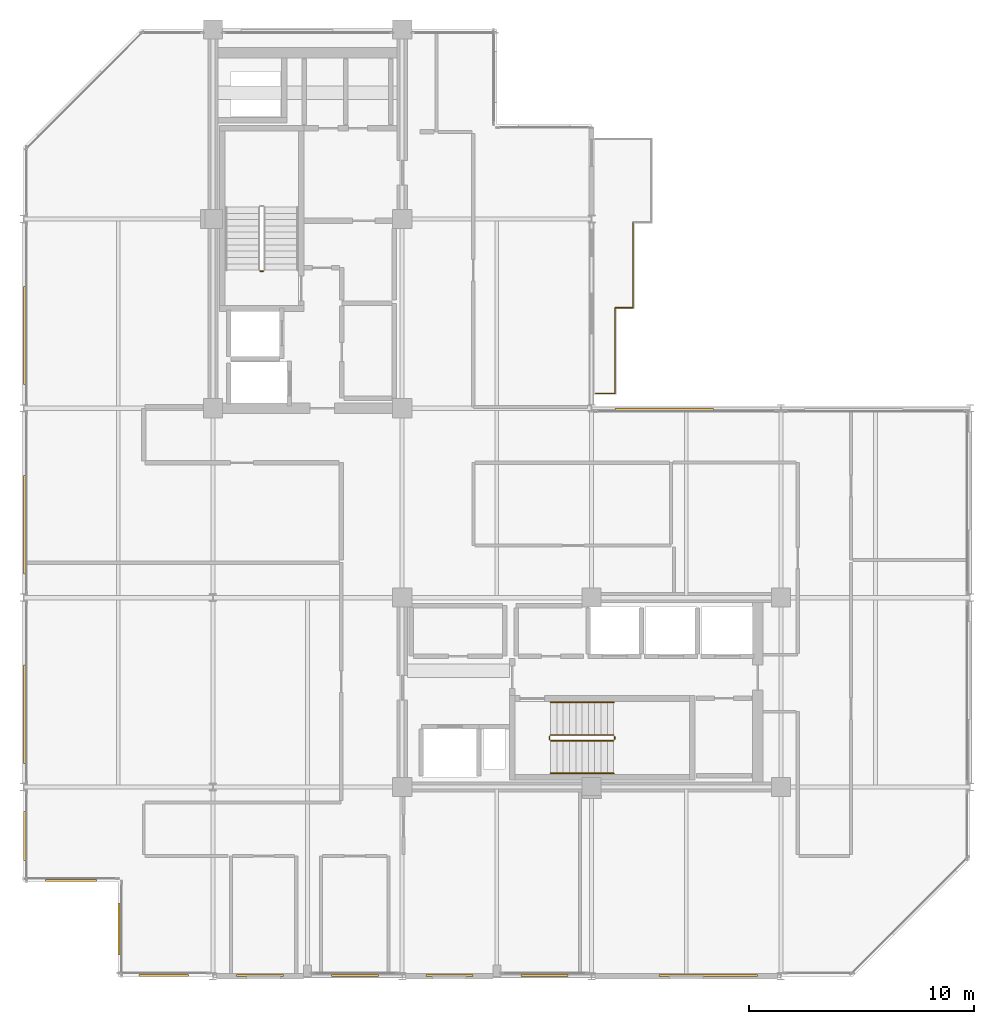
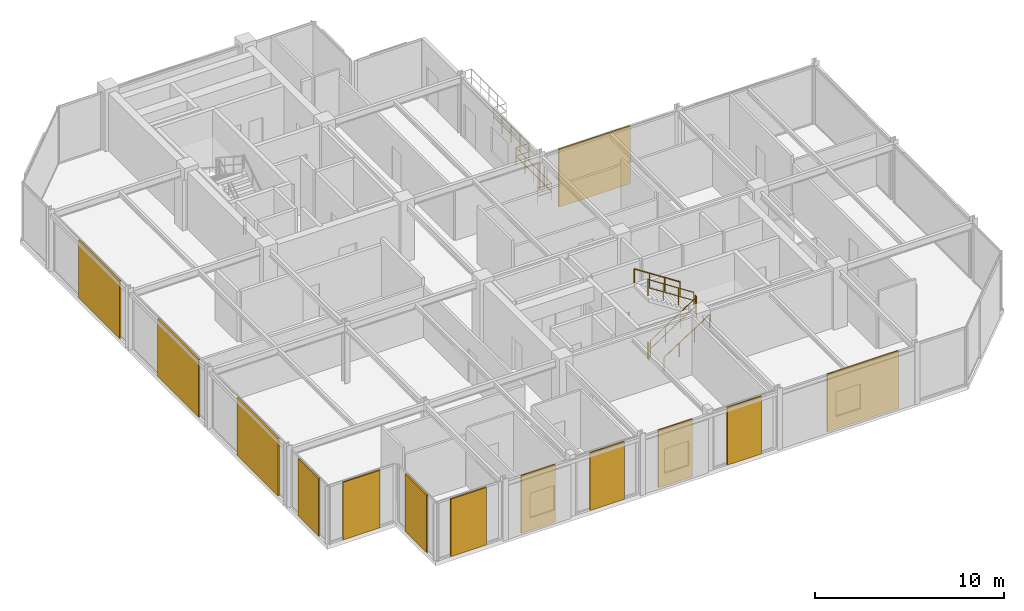
# One storey, part 24 of 26: 13 coverings, 11 railings.
"""IFC4 building model written with IfcOpenShell, lengths in metres."""

from ifc_helpers import new_model, si_unit, direction, frame, origin, origin_2d, place, context, subcontext, project, spatial, rectangle, circle, extrude, material, layer, layer_set, type_object, element, save


model = new_model("IFC4")

# Units and contexts
model_context = context("Model", 3, precision=1e-05, world=origin(), true_north=direction((0.0, 1.0)))
body_context = subcontext(model_context, "Body", "Model", "MODEL_VIEW")
ifc_project = project(units=[si_unit("LENGTHUNIT", "METRE"), si_unit("AREAUNIT", "SQUARE_METRE"), si_unit("VOLUMEUNIT", "CUBIC_METRE"), si_unit("PLANEANGLEUNIT", "RADIAN"), si_unit("MASSUNIT", "GRAM", prefix="KILO")], contexts=[model_context])

# Site, building, storey
site_placement = place(None, origin())
site = spatial("IfcSite", under=ifc_project, at=site_placement, CompositionType="ELEMENT")
building_placement = place(site_placement, origin())
building = spatial("IfcBuilding", under=site, at=building_placement, Name="Nerrivon Quay Data Exchange", CompositionType="ELEMENT")
storey_placement = place(building_placement, frame((0.0, 0.0, 258.199951171875)))
storey = spatial("IfcBuildingStorey", under=building, at=storey_placement, Name="L61", CompositionType="ELEMENT", Elevation=258.199951171875)

# Coverings
ifc_material_1 = material(Name="Architectural terracotta ceramic", Category="masonry")
ifc_layer = layer(ifc_material_1, 0.090087890625)
ifc_layer_set = layer_set([ifc_layer], Name="Architectural terracotta ceramic")
covering_type = type_object("IfcCoveringType", Name="COV-SCR-TERR", PredefinedType="CLADDING", material=ifc_layer_set)
covering_1_placement = place(storey_placement, frame((30.37060546875, 0.044921875, 0.0), z_axis=(0.0, 0.0, 1.0), x_axis=(-1.0, 0.0, 0.0)))
element("IfcCovering", 1, at=covering_1_placement, inside=storey, type_object=covering_type, Name="L61 Perforated Terracotta SOLAR SCREEN Cassette", PredefinedType="CLADDING", context=body_context, shape_type="SweptSolid", body=[
    extrude(rectangle(XDim=4.367919921875, YDim=0.090087890625, at=origin_2d()), origin(), (0.0, 0.0, 1.0), 3.72509765625),
])
for number, where, z_axis, x_axis, name in (
    (2, (23.109619140625, 0.044921875, 0.0), (0.0, 0.0, 1.0), (-1.0, 0.0, 0.0), "L61 Perforated Terracotta SOLAR SCREEN Cassette"),
    (3, (18.890380859375, 0.044921875, 0.0), (0.0, 0.0, 1.0), (-1.0, 0.0, 0.0), "L61 Perforated Terracotta SOLAR SCREEN Cassette"),
    (4, (14.709716796875, 0.044921875, 0.0), (0.0, 0.0, 1.0), (-1.0, 0.0, 0.0), "L61 Perforated Terracotta SOLAR SCREEN Cassette"),
    (5, (10.490234375, 0.044921875, 0.0), (0.0, 0.0, 1.0), (-1.0, 0.0, 0.0), "L61 Perforated Terracotta SOLAR SCREEN Cassette"),
):
    element("IfcCovering", number, at=place(storey_placement, frame(where, z_axis=z_axis, x_axis=x_axis)), inside=storey, type_object=covering_type, Name=name, PredefinedType="CLADDING", context=body_context, shape_type="SweptSolid", body=[
        extrude(rectangle(XDim=2.090087890625, YDim=0.090087890625, at=origin_2d()), origin(), (0.0, 0.0, 1.0), 3.72509765625),
    ])
covering_2_placement = place(storey_placement, frame((6.222412109375, 0.044921875, 0.0), z_axis=(0.0, 0.0, 1.0), x_axis=(-1.0, 0.0, 0.0)))
element("IfcCovering", 6, at=covering_2_placement, inside=storey, type_object=covering_type, Name="L61 Perforated Terracotta SOLAR SCREEN Cassette", PredefinedType="CLADDING", context=body_context, shape_type="SweptSolid", body=[
    extrude(rectangle(XDim=2.18408203125, YDim=0.090087890625, at=origin_2d()), origin(), (0.0, 0.0, 1.0), 3.72509765625),
])
for number, where, z_axis, x_axis, name in (
    (7, (4.2451171875, 2.10009765625, 0.0), (0.0, 0.0, 1.0), (0.0, 1.0, 0.0), "L61 Perforated Terracotta SOLAR SCREEN Cassette"),
    (8, (2.10009765625, 4.2451171875, 0.0), (0.0, 0.0, 1.0), (-1.0, 0.0, 0.0), "L61 Perforated Terracotta SOLAR SCREEN Cassette"),
):
    element("IfcCovering", number, at=place(storey_placement, frame(where, z_axis=z_axis, x_axis=x_axis)), inside=storey, type_object=covering_type, Name=name, PredefinedType="CLADDING", context=body_context, shape_type="SweptSolid", body=[
        extrude(rectangle(XDim=2.26806640625, YDim=0.090087890625, at=origin_2d()), origin(), (0.0, 0.0, 1.0), 3.72509765625),
    ])
covering_3_placement = place(storey_placement, frame((0.044921875, 6.21826171875, 0.0), z_axis=(0.0, 0.0, 1.0), x_axis=(0.0, 1.0, 0.0)))
element("IfcCovering", 9, at=covering_3_placement, inside=storey, type_object=covering_type, Name="L61 Perforated Terracotta SOLAR SCREEN Cassette", PredefinedType="CLADDING", context=body_context, shape_type="SweptSolid", body=[
    extrude(rectangle(XDim=2.179931640625, YDim=0.090087890625, at=origin_2d()), origin(), (0.0, 0.0, 1.0), 3.72509765625),
])
for number, where, z_axis, x_axis, name in (
    (10, (0.044921875, 11.631103515625, 0.0), (0.0, 0.0, 1.0), (0.0, 1.0, 0.0), "L61 Perforated Terracotta SOLAR SCREEN Cassette"),
    (11, (0.044921875, 20.03125, 0.0), (0.0, 0.0, 1.0), (0.0, 1.0, 0.0), "L61 Perforated Terracotta SOLAR SCREEN Cassette"),
    (12, (0.044921875, 28.43115234375, 0.0), (0.0, 0.0, 1.0), (0.0, 1.0, 0.0), "L61 Perforated Terracotta SOLAR SCREEN Cassette"),
):
    element("IfcCovering", number, at=place(storey_placement, frame(where, z_axis=z_axis, x_axis=x_axis)), inside=storey, type_object=covering_type, Name=name, PredefinedType="CLADDING", context=body_context, shape_type="SweptSolid", body=[
        extrude(rectangle(XDim=4.35888671875, YDim=0.090087890625, at=origin_2d()), origin(), (0.0, 0.0, 1.0), 3.72509765625),
    ])
covering_4_placement = place(storey_placement, frame((28.42919921875, 25.155029296875, 0.0), z_axis=(0.0, 0.0, 1.0), x_axis=(1.0, 0.0, 0.0)))
element("IfcCovering", 13, at=covering_4_placement, inside=storey, type_object=covering_type, Name="L61 Perforated Terracotta SOLAR SCREEN Cassette", PredefinedType="CLADDING", context=body_context, shape_type="SweptSolid", body=[
    extrude(rectangle(XDim=4.367919921875, YDim=0.090087890625, at=origin_2d()), origin(), (0.0, 0.0, 1.0), 3.72509765625),
])

# Railings
ifc_material_2 = material(Name="Steel Grade C350L0 (350 MPa)", Category="steel")
railing_type_1 = type_object("IfcRailingType", Name="RAIL-GUARD-GR2", PredefinedType="BALUSTRADE", material=ifc_material_2)
railing_1_placement = place(storey_placement, frame((26.239990234375, 29.659912109375, 0.0)))
element("IfcRailing", 14, at=railing_1_placement, inside=storey, type_object=railing_type_1, Name="L61 Verandah Balcony Guard 1.1 1", PredefinedType="BALUSTRADE", context=body_context, shape_type="SweptSolid", body=[
    extrude(circle(Radius=0.02392578125, at=origin_2d()), frame((0.0, 0.0, 1.09619140625), z_axis=(0.0, -1.0, 0.0), x_axis=(1.0, 0.0, 0.0)), (0.0, 0.0, 1.0), 3.7998046875),
    extrude(circle(Radius=0.02392578125, at=origin_2d()), frame((0.0, 0.0, 0.56005859375), z_axis=(0.0, -1.0, 0.0), x_axis=(1.0, 0.0, 0.0)), (0.0, 0.0, 1.0), 3.7998046875),
    extrude(circle(Radius=0.02099609375, at=origin_2d()), origin(), (0.0, 0.0, 1.0), 1.072021484375),
    extrude(circle(Radius=0.02099609375, at=origin_2d()), frame((0.0, -0.949951171875, 0.0)), (0.0, 0.0, 1.0), 1.072021484375),
    extrude(circle(Radius=0.02099609375, at=origin_2d()), frame((0.0, -1.89990234375, 0.0)), (0.0, 0.0, 1.0), 1.072021484375),
    extrude(circle(Radius=0.02099609375, at=origin_2d()), frame((0.0, -2.849853515625, 0.0)), (0.0, 0.0, 1.0), 1.072021484375),
    extrude(circle(Radius=0.02099609375, at=origin_2d()), frame((0.0, -3.7998046875, 0.0)), (0.0, 0.0, 1.0), 1.072021484375),
])
railing_2_placement = place(storey_placement, frame((26.239990234375, 25.860107421875, 0.0)))
element("IfcRailing", 15, at=railing_2_placement, inside=storey, type_object=railing_type_1, Name="L61 Verandah Balcony Guard 1.2 1", PredefinedType="BALUSTRADE", context=body_context, shape_type="SweptSolid", body=[
    extrude(circle(Radius=0.02392578125, at=origin_2d()), frame((0.0, 0.0, 1.09619140625), z_axis=(-1.0, 0.0, 0.0), x_axis=(0.0, -1.0, 0.0)), (0.0, 0.0, 1.0), 0.860107421875),
    extrude(circle(Radius=0.02392578125, at=origin_2d()), frame((0.0, 0.0, 0.56005859375), z_axis=(-1.0, 0.0, 0.0), x_axis=(0.0, -1.0, 0.0)), (0.0, 0.0, 1.0), 0.860107421875),
    extrude(circle(Radius=0.02099609375, at=origin_2d()), origin(), (0.0, 0.0, 1.0), 1.072021484375),
    extrude(circle(Radius=0.02099609375, at=origin_2d()), frame((-0.860107421875, 0.0, 0.0)), (0.0, 0.0, 1.0), 1.072021484375),
])
railing_3_placement = place(storey_placement, frame((27.0400390625, 33.4599609375, 0.0)))
element("IfcRailing", 16, at=railing_3_placement, inside=storey, type_object=railing_type_1, Name="L61 Verandah Balcony Guard 1.6 1", PredefinedType="BALUSTRADE", context=body_context, shape_type="SweptSolid", body=[
    extrude(circle(Radius=0.02392578125, at=origin_2d()), frame((0.0, 0.0, 1.09619140625), z_axis=(0.0, -1.0, 0.0), x_axis=(1.0, 0.0, 0.0)), (0.0, 0.0, 1.0), 3.800048828125),
    extrude(circle(Radius=0.02392578125, at=origin_2d()), frame((0.0, 0.0, 0.56005859375), z_axis=(0.0, -1.0, 0.0), x_axis=(1.0, 0.0, 0.0)), (0.0, 0.0, 1.0), 3.800048828125),
    extrude(circle(Radius=0.02099609375, at=origin_2d()), origin(), (0.0, 0.0, 1.0), 1.072021484375),
    extrude(circle(Radius=0.02099609375, at=origin_2d()), frame((0.0, -0.949951171875, 0.0)), (0.0, 0.0, 1.0), 1.072021484375),
    extrude(circle(Radius=0.02099609375, at=origin_2d()), frame((0.0, -1.89990234375, 0.0)), (0.0, 0.0, 1.0), 1.072021484375),
    extrude(circle(Radius=0.02099609375, at=origin_2d()), frame((0.0, -2.85009765625, 0.0)), (0.0, 0.0, 1.0), 1.072021484375),
    extrude(circle(Radius=0.02099609375, at=origin_2d()), frame((0.0, -3.800048828125, 0.0)), (0.0, 0.0, 1.0), 1.072021484375),
])
railing_4_placement = place(storey_placement, frame((27.0400390625, 29.659912109375, 0.0)))
element("IfcRailing", 17, at=railing_4_placement, inside=storey, type_object=railing_type_1, Name="L61 Verandah Balcony Guard 1.7 1", PredefinedType="BALUSTRADE", context=body_context, shape_type="SweptSolid", body=[
    extrude(circle(Radius=0.02392578125, at=origin_2d()), frame((0.0, 0.0, 1.09619140625), z_axis=(-1.0, 0.0, 0.0), x_axis=(0.0, -1.0, 0.0)), (0.0, 0.0, 1.0), 0.800048828125),
    extrude(circle(Radius=0.02392578125, at=origin_2d()), frame((0.0, 0.0, 0.56005859375), z_axis=(-1.0, 0.0, 0.0), x_axis=(0.0, -1.0, 0.0)), (0.0, 0.0, 1.0), 0.800048828125),
    extrude(circle(Radius=0.02099609375, at=origin_2d()), origin(), (0.0, 0.0, 1.0), 1.072021484375),
    extrude(circle(Radius=0.02099609375, at=origin_2d()), frame((-0.800048828125, 0.0, 0.0)), (0.0, 0.0, 1.0), 1.072021484375),
])
railing_type_2 = type_object("IfcRailingType", Name="RAIL-HAND-HR1", PredefinedType="HANDRAIL", material=ifc_material_2)
railing_5_placement = place(storey_placement, frame((23.3798828125, 9.0, 0.181884765625)))
element("IfcRailing", 18, at=railing_5_placement, inside=storey, type_object=railing_type_2, Name="L61 ST02 stair handrail 1", PredefinedType="HANDRAIL", context=body_context, shape_type="SweptSolid", body=[
    extrude(circle(Radius=0.02392578125, at=origin_2d()), frame((0.0, 0.0, 0.8759765625), z_axis=(0.838705829183, 0.0, 0.544584733623), x_axis=(0.0, 1.0, 0.0)), (0.0, 0.0, 1.0), 3.338623046875),
    extrude(circle(Radius=0.02099609375, at=origin_2d()), origin(), (0.0, 0.0, 1.0), 0.851806640625),
    extrude(circle(Radius=0.02099609375, at=origin_2d()), frame((0.933349609375, 0.0, 0.60595703125)), (0.0, 0.0, 1.0), 0.851806640625),
    extrude(circle(Radius=0.02099609375, at=origin_2d()), frame((1.86669921875, 0.0, 1.212158203125)), (0.0, 0.0, 1.0), 0.851806640625),
    extrude(circle(Radius=0.02099609375, at=origin_2d()), frame((2.800048828125, 0.0, 1.818115234375)), (0.0, 0.0, 1.0), 0.851806640625),
])
railing_6_placement = place(storey_placement, frame((26.179931640625, 12.14990234375, 2.181884765625)))
element("IfcRailing", 19, at=railing_6_placement, inside=storey, type_object=railing_type_2, Name="L61 ST02 stair handrail 2", PredefinedType="HANDRAIL", context=body_context, shape_type="SweptSolid", body=[
    extrude(circle(Radius=0.02392578125, at=origin_2d()), frame((0.0, 0.0, 0.8759765625), z_axis=(-0.838705829183, 0.0, 0.544584733623), x_axis=(0.0, -1.0, 0.0)), (0.0, 0.0, 1.0), 3.338623046875),
    extrude(circle(Radius=0.02099609375, at=origin_2d()), origin(), (0.0, 0.0, 1.0), 0.851806640625),
    extrude(circle(Radius=0.02099609375, at=origin_2d()), frame((-0.933349609375, 0.0, 0.60595703125)), (0.0, 0.0, 1.0), 0.851806640625),
    extrude(circle(Radius=0.02099609375, at=origin_2d()), frame((-1.86669921875, 0.0, 1.212158203125)), (0.0, 0.0, 1.0), 0.851806640625),
    extrude(circle(Radius=0.02099609375, at=origin_2d()), frame((-2.800048828125, 0.0, 1.818115234375)), (0.0, 0.0, 1.0), 0.851806640625),
])
railing_type_3 = type_object("IfcRailingType", Name="RAIL-STAIR-GR1", PredefinedType="BALUSTRADE", material=ifc_material_2)
railing_7_placement = place(storey_placement, frame((10.64990234375, 31.280029296875, 0.0)))
element("IfcRailing", 20, at=railing_7_placement, inside=storey, type_object=railing_type_3, Name="L61 ST01 stair guard 4", PredefinedType="BALUSTRADE", context=body_context, shape_type="SweptSolid", body=[
    extrude(circle(Radius=0.02392578125, at=origin_2d()), frame((0.0, 0.0, 1.076171875), z_axis=(-1.0, 0.0, 0.0), x_axis=(0.0, -1.0, 0.0)), (0.0, 0.0, 1.0), 0.14990234375),
    extrude(circle(Radius=0.02392578125, at=origin_2d()), frame((0.0, 0.0, 0.550048828125), z_axis=(-1.0, 0.0, 0.0), x_axis=(0.0, -1.0, 0.0)), (0.0, 0.0, 1.0), 0.14990234375),
    extrude(circle(Radius=0.02099609375, at=origin_2d()), origin(), (0.0, 0.0, 1.0), 1.052001953125),
    extrude(circle(Radius=0.02099609375, at=origin_2d()), frame((-0.14990234375, 0.0, 0.0)), (0.0, 0.0, 1.0), 1.052001953125),
])
railing_8_placement = place(storey_placement, frame((23.3798828125, 10.449951171875, 0.181884765625)))
element("IfcRailing", 21, at=railing_8_placement, inside=storey, type_object=railing_type_3, Name="L61 ST02 stair guard 1", PredefinedType="BALUSTRADE", context=body_context, shape_type="SweptSolid", body=[
    extrude(circle(Radius=0.02392578125, at=origin_2d()), frame((0.0, 0.0, 1.076171875), z_axis=(0.838705829183, 0.0, 0.544584733623), x_axis=(0.0, 1.0, 0.0)), (0.0, 0.0, 1.0), 3.338623046875),
    extrude(circle(Radius=0.02392578125, at=origin_2d()), frame((0.0, 0.0, 0.550048828125), z_axis=(0.838705829183, 0.0, 0.544584733623), x_axis=(0.0, 1.0, 0.0)), (0.0, 0.0, 1.0), 3.338623046875),
    extrude(circle(Radius=0.02099609375, at=origin_2d()), origin(), (0.0, 0.0, 1.0), 1.052001953125),
    extrude(circle(Radius=0.02099609375, at=origin_2d()), frame((0.933349609375, 0.0, 0.60595703125)), (0.0, 0.0, 1.0), 1.052001953125),
    extrude(circle(Radius=0.02099609375, at=origin_2d()), frame((1.86669921875, 0.0, 1.212158203125)), (0.0, 0.0, 1.0), 1.052001953125),
    extrude(circle(Radius=0.02099609375, at=origin_2d()), frame((2.800048828125, 0.0, 1.818115234375)), (0.0, 0.0, 1.0), 1.052001953125),
])
railing_9_placement = place(storey_placement, frame((26.22998046875, 10.5, 2.0)))
element("IfcRailing", 22, at=railing_9_placement, inside=storey, type_object=railing_type_3, Name="L61 ST02 stair guard 2", PredefinedType="BALUSTRADE", context=body_context, shape_type="SweptSolid", body=[
    extrude(circle(Radius=0.02392578125, at=origin_2d()), frame((0.0, 0.0, 1.076171875), z_axis=(0.0, 1.0, 0.0), x_axis=(-1.0, 0.0, 0.0)), (0.0, 0.0, 1.0), 0.14990234375),
    extrude(circle(Radius=0.02392578125, at=origin_2d()), frame((0.0, 0.0, 0.550048828125), z_axis=(0.0, 1.0, 0.0), x_axis=(-1.0, 0.0, 0.0)), (0.0, 0.0, 1.0), 0.14990234375),
    extrude(circle(Radius=0.02099609375, at=origin_2d()), origin(), (0.0, 0.0, 1.0), 1.052001953125),
    extrude(circle(Radius=0.02099609375, at=origin_2d()), frame((0.0, 0.14990234375, 0.0)), (0.0, 0.0, 1.0), 1.052001953125),
])
railing_10_placement = place(storey_placement, frame((26.179931640625, 10.699951171875, 2.181884765625)))
element("IfcRailing", 23, at=railing_10_placement, inside=storey, type_object=railing_type_3, Name="L61 ST02 stair guard 3", PredefinedType="BALUSTRADE", context=body_context, shape_type="SweptSolid", body=[
    extrude(circle(Radius=0.02392578125, at=origin_2d()), frame((0.0, 0.0, 1.076171875), z_axis=(-0.838705829183, 0.0, 0.544584733623), x_axis=(0.0, -1.0, 0.0)), (0.0, 0.0, 1.0), 3.338623046875),
    extrude(circle(Radius=0.02392578125, at=origin_2d()), frame((0.0, 0.0, 0.550048828125), z_axis=(-0.838705829183, 0.0, 0.544584733623), x_axis=(0.0, -1.0, 0.0)), (0.0, 0.0, 1.0), 3.338623046875),
    extrude(circle(Radius=0.02099609375, at=origin_2d()), origin(), (0.0, 0.0, 1.0), 1.052001953125),
    extrude(circle(Radius=0.02099609375, at=origin_2d()), frame((-0.933349609375, 0.0, 0.60595703125)), (0.0, 0.0, 1.0), 1.052001953125),
    extrude(circle(Radius=0.02099609375, at=origin_2d()), frame((-1.86669921875, 0.0, 1.212158203125)), (0.0, 0.0, 1.0), 1.052001953125),
    extrude(circle(Radius=0.02099609375, at=origin_2d()), frame((-2.800048828125, 0.0, 1.818115234375)), (0.0, 0.0, 1.0), 1.052001953125),
])
railing_11_placement = place(storey_placement, frame((23.330078125, 10.5, 0.0)))
element("IfcRailing", 24, at=railing_11_placement, inside=storey, type_object=railing_type_3, Name="L61 ST02 stair guard 4", PredefinedType="BALUSTRADE", context=body_context, shape_type="SweptSolid", body=[
    extrude(circle(Radius=0.02392578125, at=origin_2d()), frame((0.0, 0.0, 1.076171875), z_axis=(0.0, 1.0, 0.0), x_axis=(-1.0, 0.0, 0.0)), (0.0, 0.0, 1.0), 0.14990234375),
    extrude(circle(Radius=0.02392578125, at=origin_2d()), frame((0.0, 0.0, 0.550048828125), z_axis=(0.0, 1.0, 0.0), x_axis=(-1.0, 0.0, 0.0)), (0.0, 0.0, 1.0), 0.14990234375),
    extrude(circle(Radius=0.02099609375, at=origin_2d()), origin(), (0.0, 0.0, 1.0), 1.052001953125),
    extrude(circle(Radius=0.02099609375, at=origin_2d()), frame((0.0, 0.14990234375, 0.0)), (0.0, 0.0, 1.0), 1.052001953125),
])

save(model, "model.ifc")
